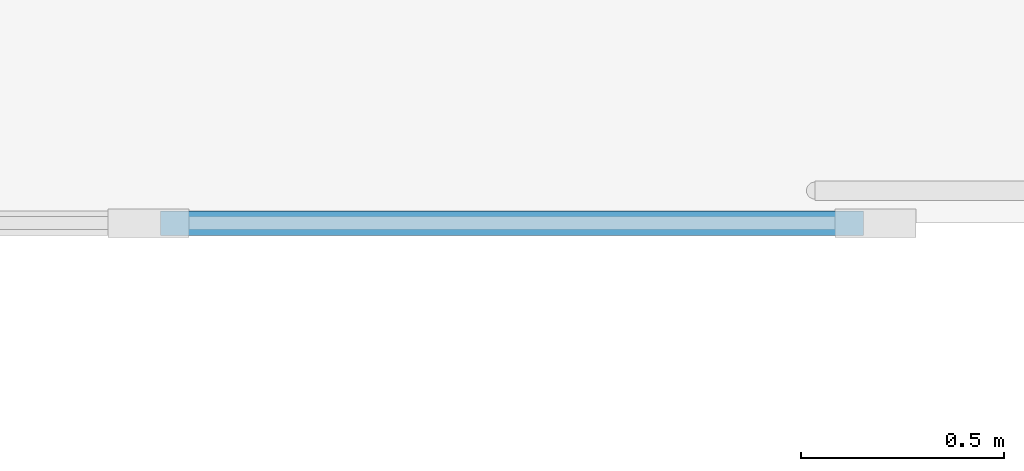
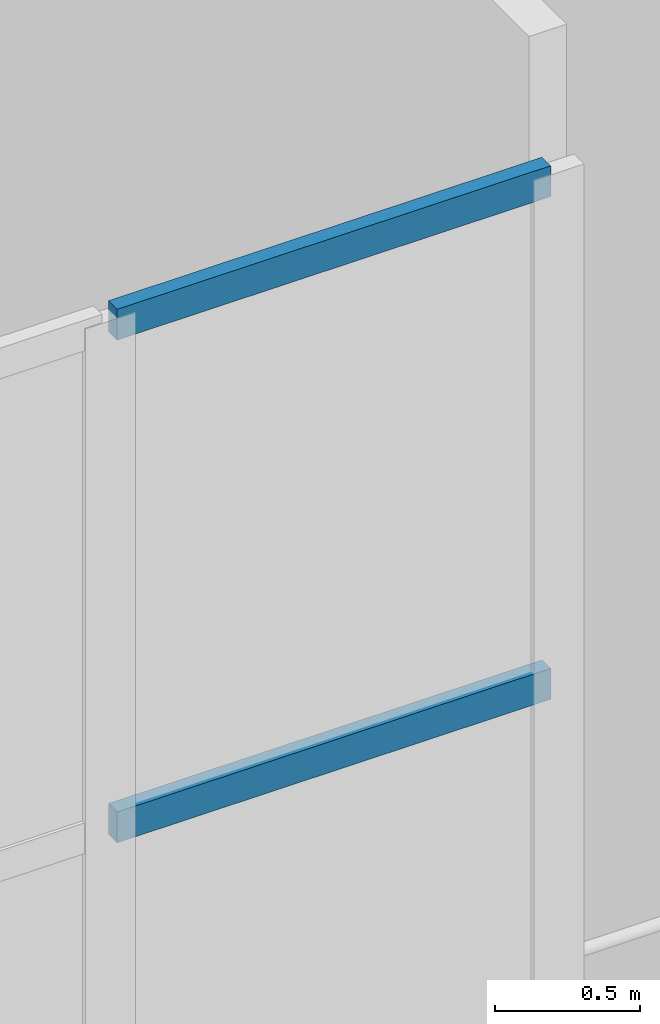
# One storey, part 22 of 104: 2 members, 1 element without a shape of its own.
"""IFC4 building model written with IfcOpenShell, lengths in metres."""

from ifc_helpers import new_model, si_unit, direction, frame, origin, origin_2d, place, context, subcontext, project, spatial, rectangle, extrude, material, material_profile, profile_set, type_object, element, aggregate, save


model = new_model("IFC4")

# Units and contexts
model_context = context("Model", 3, precision=1e-05, world=origin(), true_north=direction((0.0, 1.0)))
body_context = subcontext(model_context, "Body", "Model", "MODEL_VIEW")
ifc_project = project(units=[si_unit("LENGTHUNIT", "METRE"), si_unit("AREAUNIT", "SQUARE_METRE"), si_unit("VOLUMEUNIT", "CUBIC_METRE"), si_unit("PLANEANGLEUNIT", "RADIAN"), si_unit("MASSUNIT", "GRAM", prefix="KILO")], contexts=[model_context])

# Site, building, storey
site_placement = place(None, origin())
site = spatial("IfcSite", under=ifc_project, at=site_placement, CompositionType="ELEMENT")
building_placement = place(site_placement, origin())
building = spatial("IfcBuilding", under=site, at=building_placement, Name="Koshinbarg Plaza Stadium", CompositionType="ELEMENT")
storey_placement = place(building_placement, frame((0.0, 0.0, 19.800048828125)))
storey = spatial("IfcBuildingStorey", under=building, at=storey_placement, Name="L04", CompositionType="ELEMENT", Elevation=19.800048828125)

# Curtain wall, members
ifc_material_1 = material(Name="Thermally broken anodised aluminium and low-E double glazing", Category="aluminium")
curtain_wall_type = type_object("IfcCurtainWallType", Name="CW-SYS-12", PredefinedType="NOTDEFINED", material=ifc_material_1)
curtain_wall_placement = place(storey_placement, origin())
curtain_wall = element("IfcCurtainWall", 1, at=curtain_wall_placement, inside=storey, type_object=curtain_wall_type, Name="L04 unitised curtain wall CW-L04-107", PredefinedType="NOTDEFINED")
ifc_material_2 = material(Name="Anodised aluminium transom", Category="aluminium")
ifc_material_profile = material_profile(ifc_material_2, rectangle(XDim=0.06005859375, YDim=0.1298828125, at=origin_2d()), Name="ALU 60x130")
ifc_profile_set = profile_set([ifc_material_profile], Name="Anodised aluminium transom")
member_type = type_object("IfcMemberType", Name="CW-TRN-02", PredefinedType="USERDEFINED", material=ifc_profile_set)
member_1_placement = place(storey_placement, frame((121.320068359375, 0.0, 2.32958984375), z_axis=(-1.0, 0.0, 0.0), x_axis=(0.0, -1.0, 0.0)))
member_1 = element("IfcMember", 2, at=member_1_placement, type_object=member_type, Name="CW12 transom 1.2", ObjectType="TRANSOM", PredefinedType="USERDEFINED", context=body_context, shape_type="SweptSolid", body=[
    extrude(rectangle(XDim=0.06005859375, YDim=0.1298828125, at=origin_2d()), origin(), (0.0, 0.0, 1.0), 1.72998046875),
])
member_2_placement = place(storey_placement, frame((121.320068359375, 0.0, 4.449951171875), z_axis=(-1.0, 0.0, 0.0), x_axis=(0.0, -1.0, 0.0)))
member_2 = element("IfcMember", 3, at=member_2_placement, type_object=member_type, Name="CW12 transom 1.3", ObjectType="TRANSOM", PredefinedType="USERDEFINED", context=body_context, shape_type="SweptSolid", body=[
    extrude(rectangle(XDim=0.06005859375, YDim=0.1298828125, at=origin_2d()), origin(), (0.0, 0.0, 1.0), 1.72998046875),
])
aggregate(curtain_wall, [member_1, member_2])

save(model, "model.ifc")
